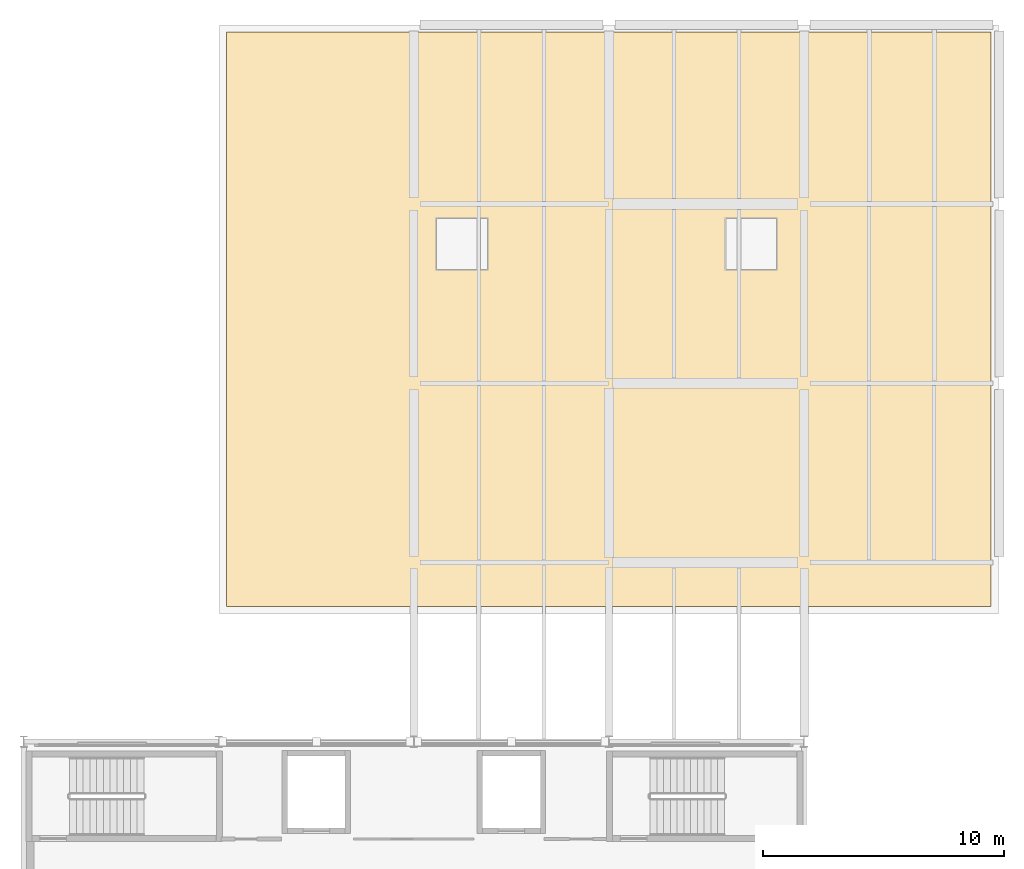
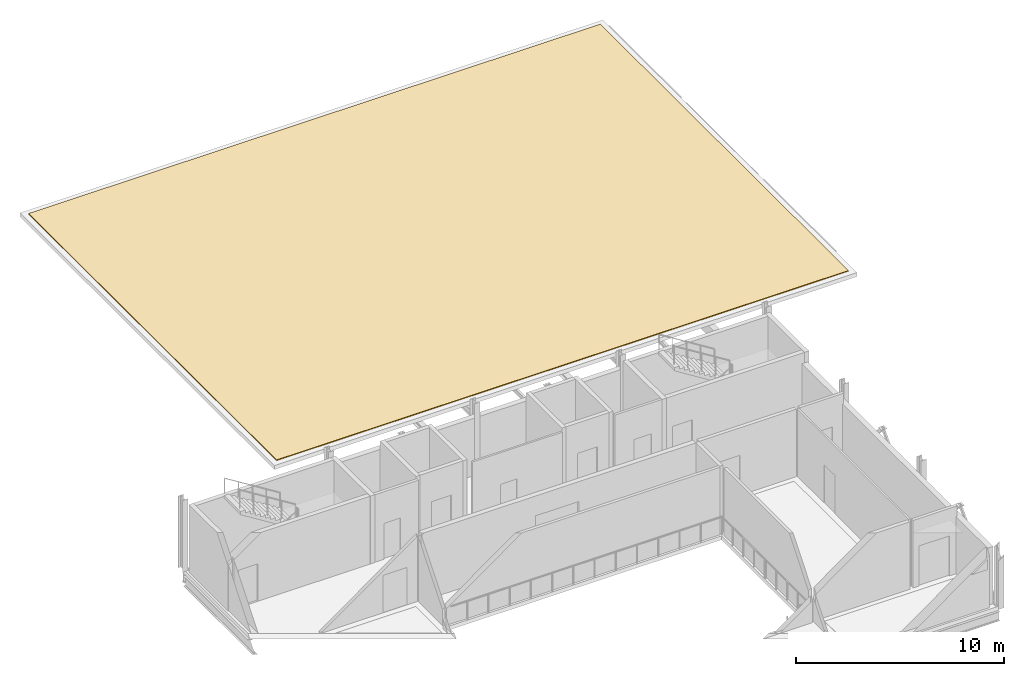
# One storey, part 7 of 7: 1 covering.
"""IFC4 building model written with IfcOpenShell, lengths in metres."""

from ifc_helpers import new_model, si_unit, direction, frame, origin, place, context, subcontext, project, spatial, polyline, outline, extrude, material, layer, layer_set, type_object, element, save


model = new_model("IFC4")

# Units and contexts
model_context = context("Model", 3, precision=1e-05, world=origin(), true_north=direction((0.0, 1.0)))
body_context = subcontext(model_context, "Body", "Model", "MODEL_VIEW")
ifc_project = project(units=[si_unit("LENGTHUNIT", "METRE"), si_unit("AREAUNIT", "SQUARE_METRE"), si_unit("VOLUMEUNIT", "CUBIC_METRE"), si_unit("PLANEANGLEUNIT", "RADIAN"), si_unit("MASSUNIT", "GRAM", prefix="KILO")], contexts=[model_context])

# Site, building, storey
site_placement = place(None, origin())
site = spatial("IfcSite", under=ifc_project, at=site_placement, CompositionType="ELEMENT")
building_placement = place(site_placement, origin())
building = spatial("IfcBuilding", under=site, at=building_placement, Name="Kaelora Sail Theatre", CompositionType="ELEMENT")
storey_placement = place(building_placement, frame((0.0, 0.0, 23.39990234375)))
storey = spatial("IfcBuildingStorey", under=building, at=storey_placement, Name="L05", CompositionType="ELEMENT", Elevation=23.39990234375)

# Covering
ifc_material = material(Name="Standing-seam titanium-zinc and TPO membrane", Category="metal")
ifc_layer = layer(ifc_material, 0.044921875)
ifc_layer_set = layer_set([ifc_layer], Name="Standing-seam titanium-zinc and TPO membrane")
covering_type = type_object("IfcCoveringType", Name="ARC-COV-RFM", PredefinedType="ROOFING", material=ifc_layer_set)
covering_placement = place(storey_placement, origin())
element("IfcCovering", 1, at=covering_placement, inside=storey, type_object=covering_type, Name="Standing-seam titanium-zinc roofing NW2", PredefinedType="ROOFING", context=body_context, shape_type="SweptSolid", body=[
    extrude(outline(polyline([(34.22998046875, 88.949951171875), (65.969970703125, 88.949951171875), (65.969970703125, 112.800048828125), (34.22998046875, 112.800048828125), (34.22998046875, 88.949951171875)])), origin(), (0.0, 0.0, 1.0), 0.045166015625),
])

save(model, "model.ifc")
